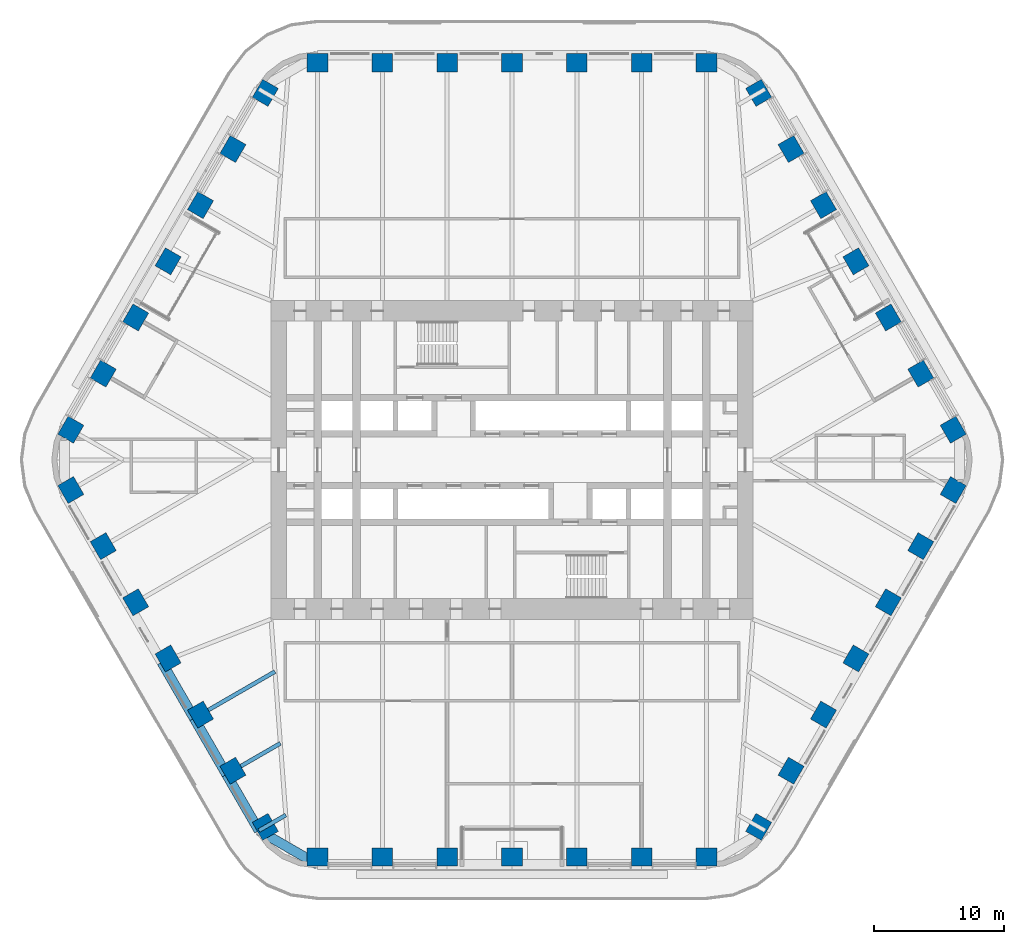
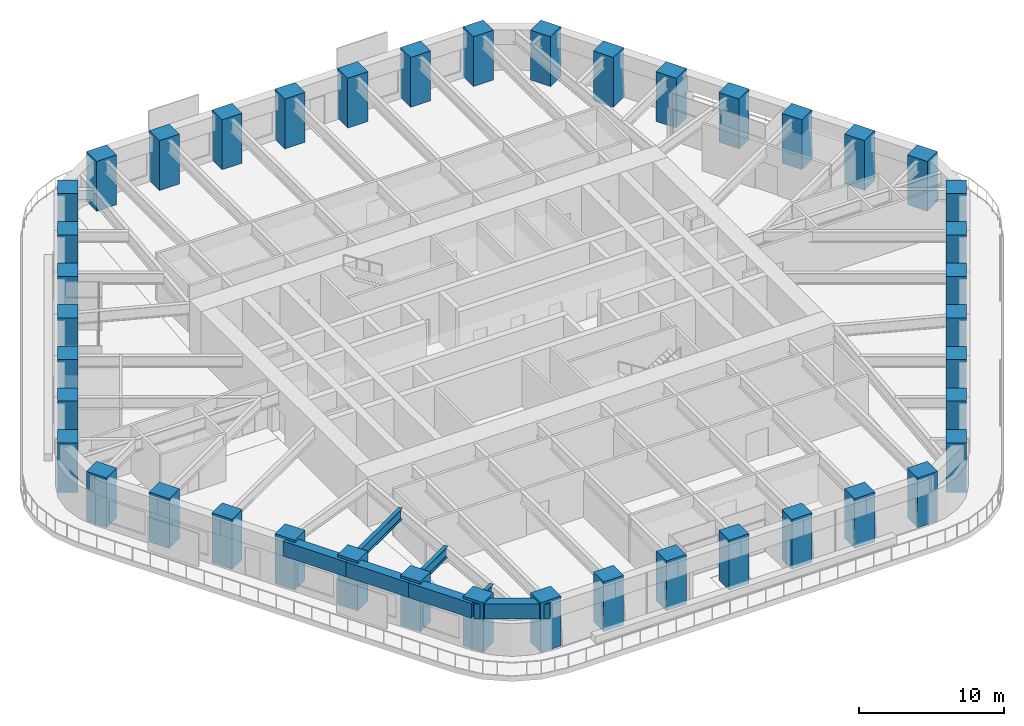
# One storey, part 1 of 24: 42 columns, 7 beams.
"""IFC4 building model written with IfcOpenShell, lengths in metres."""

from ifc_helpers import new_model, si_unit, direction, frame, origin, origin_2d, place, context, subcontext, project, spatial, rectangle, i_section, extrude, material, material_profile, profile_set, type_object, element, save


model = new_model("IFC4")

# Units and contexts
model_context = context("Model", 3, precision=1e-05, world=origin(), true_north=direction((0.0, 1.0)))
body_context = subcontext(model_context, "Body", "Model", "MODEL_VIEW")
ifc_project = project(units=[si_unit("LENGTHUNIT", "METRE"), si_unit("AREAUNIT", "SQUARE_METRE"), si_unit("VOLUMEUNIT", "CUBIC_METRE"), si_unit("PLANEANGLEUNIT", "RADIAN"), si_unit("MASSUNIT", "GRAM", prefix="KILO")], contexts=[model_context])

# Site, building, storey
site_placement = place(None, origin())
site = spatial("IfcSite", under=ifc_project, at=site_placement, CompositionType="ELEMENT")
building_placement = place(site_placement, origin())
building = spatial("IfcBuilding", under=site, at=building_placement, Name="Tarfa Lantern Tower", CompositionType="ELEMENT")
storey_placement = place(building_placement, frame((0.0, 0.0, 174.10009765625)))
storey = spatial("IfcBuildingStorey", under=building, at=storey_placement, Name="L39", CompositionType="ELEMENT", Elevation=174.10009765625)

# Columns
ifc_material_1 = material(Name="Concrete C80/95", Category="concrete")
ifc_material_profile_1 = material_profile(ifc_material_1, rectangle(XDim=1.60009765625, YDim=1.39990234375, at=origin_2d()), Name="RC 1600x1400")
ifc_profile_set_1 = profile_set([ifc_material_profile_1], Name="Concrete C80/95")
column_type = type_object("IfcColumnType", Name="TC7 RC 1600x1400", PredefinedType="COLUMN", material=ifc_profile_set_1)
for number, where, z_axis, x_axis, name in (
    (1, (34.04931640625, 2.324951171875, 0.0), (0.0, 0.0, 1.0), (-0.5, 0.866025403784, 0.0), "Tube column NE0"),
    (2, (31.54736328125, 6.658447265625, 0.0), (0.0, 0.0, 1.0), (-0.5, 0.866025403784, 0.0), "Tube column NE1"),
    (3, (29.04541015625, 10.99169921875, 0.0), (0.0, 0.0, 1.0), (-0.5, 0.866025403784, 0.0), "Tube column NE2"),
    (4, (26.543701171875, 15.324951171875, 0.0), (0.0, 0.0, 1.0), (-0.5, 0.866025403784, 0.0), "Tube column NE3"),
    (5, (24.041748046875, 19.658447265625, 0.0), (0.0, 0.0, 1.0), (-0.5, 0.866025403784, 0.0), "Tube column NE4"),
    (6, (21.5400390625, 23.99169921875, 0.0), (0.0, 0.0, 1.0), (-0.5, 0.866025403784, 0.0), "Tube column NE5"),
    (7, (19.0380859375, 28.324951171875, 0.0), (0.0, 0.0, 1.0), (-0.5, 0.866025403784, 0.0), "Tube column NE6"),
    (8, (15.010986328125, 30.64990234375, 0.0), (0.0, 0.0, 1.0), (-1.0, 0.0, 0.0), "Tube column N0"),
    (9, (10.00732421875, 30.64990234375, 0.0), (0.0, 0.0, 1.0), (-1.0, 0.0, 0.0), "Tube column N1"),
    (10, (5.003662109375, 30.64990234375, 0.0), (0.0, 0.0, 1.0), (-1.0, 0.0, 0.0), "Tube column N2"),
    (11, (0.0, 30.64990234375, 0.0), (0.0, 0.0, 1.0), (-1.0, 0.0, 0.0), "Tube column N3"),
    (12, (-5.003662109375, 30.64990234375, 0.0), (0.0, 0.0, 1.0), (-1.0, 0.0, 0.0), "Tube column N4"),
    (13, (-10.00732421875, 30.64990234375, 0.0), (0.0, 0.0, 1.0), (-1.0, 0.0, 0.0), "Tube column N5"),
    (14, (-15.010986328125, 30.64990234375, 0.0), (0.0, 0.0, 1.0), (-1.0, 0.0, 0.0), "Tube column N6"),
    (15, (-19.0380859375, 28.324951171875, 0.0), (0.0, 0.0, 1.0), (-0.5, -0.866025403784, 0.0), "Tube column NW0"),
    (16, (-21.5400390625, 23.99169921875, 0.0), (0.0, 0.0, 1.0), (-0.5, -0.866025403784, 0.0), "Tube column NW1"),
    (17, (-24.041748046875, 19.658447265625, 0.0), (0.0, 0.0, 1.0), (-0.5, -0.866025403784, 0.0), "Tube column NW2"),
    (18, (-26.543701171875, 15.324951171875, 0.0), (0.0, 0.0, 1.0), (-0.5, -0.866025403784, 0.0), "Tube column NW3"),
    (19, (-29.04541015625, 10.99169921875, 0.0), (0.0, 0.0, 1.0), (-0.5, -0.866025403784, 0.0), "Tube column NW4"),
    (20, (-31.54736328125, 6.658447265625, 0.0), (0.0, 0.0, 1.0), (-0.5, -0.866025403784, 0.0), "Tube column NW5"),
    (21, (-34.04931640625, 2.324951171875, 0.0), (0.0, 0.0, 1.0), (-0.5, -0.866025403784, 0.0), "Tube column NW6"),
    (22, (-34.04931640625, -2.324951171875, 0.0), (0.0, 0.0, 1.0), (0.5, -0.866025403784, 0.0), "Tube column SW0"),
    (23, (-31.54736328125, -6.658447265625, 0.0), (0.0, 0.0, 1.0), (0.5, -0.866025403784, 0.0), "Tube column SW1"),
    (24, (-29.04541015625, -10.99169921875, 0.0), (0.0, 0.0, 1.0), (0.5, -0.866025403784, 0.0), "Tube column SW2"),
    (25, (-26.543701171875, -15.324951171875, 0.0), (0.0, 0.0, 1.0), (0.5, -0.866025403784, 0.0), "Tube column SW3"),
    (26, (-24.041748046875, -19.658447265625, 0.0), (0.0, 0.0, 1.0), (0.5, -0.866025403784, 0.0), "Tube column SW4"),
    (27, (-21.5400390625, -23.99169921875, 0.0), (0.0, 0.0, 1.0), (0.5, -0.866025403784, 0.0), "Tube column SW5"),
    (28, (-19.0380859375, -28.324951171875, 0.0), (0.0, 0.0, 1.0), (0.5, -0.866025403784, 0.0), "Tube column SW6"),
    (29, (-15.010986328125, -30.64990234375, 0.0), (0.0, 0.0, 1.0), (1.0, 0.0, 0.0), "Tube column S0"),
    (30, (-10.00732421875, -30.64990234375, 0.0), (0.0, 0.0, 1.0), (1.0, 0.0, 0.0), "Tube column S1"),
    (31, (-5.003662109375, -30.64990234375, 0.0), (0.0, 0.0, 1.0), (1.0, 0.0, 0.0), "Tube column S2"),
    (32, (0.0, -30.64990234375, 0.0), (0.0, 0.0, 1.0), (1.0, 0.0, 0.0), "Tube column S3"),
    (33, (5.003662109375, -30.64990234375, 0.0), (0.0, 0.0, 1.0), (1.0, 0.0, 0.0), "Tube column S4"),
    (34, (10.00732421875, -30.64990234375, 0.0), (0.0, 0.0, 1.0), (1.0, 0.0, 0.0), "Tube column S5"),
    (35, (15.010986328125, -30.64990234375, 0.0), (0.0, 0.0, 1.0), (1.0, 0.0, 0.0), "Tube column S6"),
    (36, (19.0380859375, -28.324951171875, 0.0), (0.0, 0.0, 1.0), (0.5, 0.866025403784, 0.0), "Tube column SE0"),
    (37, (21.5400390625, -23.99169921875, 0.0), (0.0, 0.0, 1.0), (0.5, 0.866025403784, 0.0), "Tube column SE1"),
    (38, (24.041748046875, -19.658447265625, 0.0), (0.0, 0.0, 1.0), (0.5, 0.866025403784, 0.0), "Tube column SE2"),
    (39, (26.543701171875, -15.324951171875, 0.0), (0.0, 0.0, 1.0), (0.5, 0.866025403784, 0.0), "Tube column SE3"),
    (40, (29.04541015625, -10.99169921875, 0.0), (0.0, 0.0, 1.0), (0.5, 0.866025403784, 0.0), "Tube column SE4"),
    (41, (31.54736328125, -6.658447265625, 0.0), (0.0, 0.0, 1.0), (0.5, 0.866025403784, 0.0), "Tube column SE5"),
    (42, (34.04931640625, -2.324951171875, 0.0), (0.0, 0.0, 1.0), (0.5, 0.866025403784, 0.0), "Tube column SE6"),
):
    element("IfcColumn", number, at=place(storey_placement, frame(where, z_axis=z_axis, x_axis=x_axis)), inside=storey, type_object=column_type, Name=name, PredefinedType="COLUMN", context=body_context, shape_type="SweptSolid", body=[
        extrude(rectangle(XDim=1.60009765625, YDim=1.39990234375, at=origin_2d()), origin(), (0.0, 0.0, 1.0), 4.199951171875),
    ])

# Beams
ifc_material_profile_2 = material_profile(ifc_material_1, rectangle(XDim=0.75, YDim=1.25, at=origin_2d()), Name="RC 750x1250")
ifc_profile_set_2 = profile_set([ifc_material_profile_2], Name="Concrete C80/95")
beam_type_1 = type_object("IfcBeamType", Name="EB2 RC 750x1250", PredefinedType="SPANDREL", material=ifc_profile_set_2)
for number, where, z_axis, x_axis, name in (
    (43, (-27.037353515625, -15.610107421875, 3.375), (0.500022324899, -0.866012514114, 0.0), (0.866012514114, 0.500022324899, 0.0), "Edge beam SW3"),
    (44, (-24.535400390625, -19.943359375, 3.375), (0.49998573051, -0.866033642122, 0.0), (0.866033642122, 0.49998573051, 0.0), "Edge beam SW4"),
):
    element("IfcBeam", number, at=place(storey_placement, frame(where, z_axis=z_axis, x_axis=x_axis)), inside=storey, type_object=beam_type_1, Name=name, PredefinedType="SPANDREL", context=body_context, shape_type="SweptSolid", body=[
        extrude(rectangle(XDim=0.75, YDim=1.25, at=origin_2d()), origin(), (0.0, 0.0, 1.0), 5.003662109375),
    ])
beam_1_placement = place(storey_placement, frame((-22.03369140625, -24.276611328125, 3.375), z_axis=(0.500001197378, -0.866024712477, 0.0), x_axis=(0.866024712477, 0.500001197378, 0.0)))
element("IfcBeam", 45, at=beam_1_placement, inside=storey, type_object=beam_type_1, Name="Edge beam SW5", PredefinedType="SPANDREL", context=body_context, shape_type="SweptSolid", body=[
    extrude(rectangle(XDim=0.75, YDim=1.25, at=origin_2d()), origin(), (0.0, 0.0, 1.0), 5.00390625),
])
beam_2_placement = place(storey_placement, frame((-19.53173828125, -28.610107421875, 3.375), z_axis=(0.86604150238, -0.499972115377, 0.0), x_axis=(0.499972115377, 0.86604150238, 0.0)))
element("IfcBeam", 46, at=beam_2_placement, inside=storey, type_object=beam_type_1, Name="Edge beam SW6", PredefinedType="SPANDREL", context=body_context, shape_type="SweptSolid", body=[
    extrude(rectangle(XDim=0.75, YDim=1.25, at=origin_2d()), origin(), (0.0, 0.0, 1.0), 5.219970703125),
])
ifc_material_2 = material(Name="Steel S460M", Category="steel")
ifc_material_profile_3 = material_profile(ifc_material_2, i_section(OverallWidth=0.305419921875, OverallDepth=0.91845703125, WebThickness=0.017333984375, FlangeThickness=0.02783203125, FilletRadius=0.01904296875, at=origin_2d()), Name="UB914x305x253")
ifc_profile_set_3 = profile_set([ifc_material_profile_3], Name="Steel S460M")
beam_type_2 = type_object("IfcBeamType", Name="UB914x305x253", PredefinedType="BEAM", material=ifc_profile_set_3)
beam_3_placement = place(storey_placement, frame((-24.535400390625, -19.943359375, 3.540771484375), z_axis=(0.86602647304, 0.499998147991, 0.0), x_axis=(-0.499998147991, 0.86602647304, 0.0)))
element("IfcBeam", 47, at=beam_3_placement, inside=storey, type_object=beam_type_2, Name="Floor beam SW4", PredefinedType="BEAM", context=body_context, shape_type="SweptSolid", body=[
    extrude(i_section(OverallWidth=0.305419921875, OverallDepth=0.91845703125, WebThickness=0.017333984375, FlangeThickness=0.02783203125, FilletRadius=0.01904296875, at=origin_2d()), origin(), (0.0, 0.0, 1.0), 7.20556640625),
])
beam_4_placement = place(storey_placement, frame((-22.03369140625, -24.276611328125, 3.540771484375), z_axis=(0.866030550462, 0.499991085587, 0.0), x_axis=(-0.499991085587, 0.866030550462, 0.0)))
element("IfcBeam", 48, at=beam_4_placement, inside=storey, type_object=beam_type_2, Name="Floor beam SW5", PredefinedType="BEAM", context=body_context, shape_type="SweptSolid", body=[
    extrude(i_section(OverallWidth=0.305419921875, OverallDepth=0.91845703125, WebThickness=0.017333984375, FlangeThickness=0.02783203125, FilletRadius=0.01904296875, at=origin_2d()), origin(), (0.0, 0.0, 1.0), 4.798828125),
])
beam_5_placement = place(storey_placement, frame((-19.53173828125, -28.610107421875, 3.540771484375), z_axis=(0.865998640954, 0.500046351717, 0.0), x_axis=(-0.500046351717, 0.865998640954, 0.0)))
element("IfcBeam", 49, at=beam_5_placement, inside=storey, type_object=beam_type_2, Name="Floor beam SW6", PredefinedType="BEAM", context=body_context, shape_type="SweptSolid", body=[
    extrude(i_section(OverallWidth=0.305419921875, OverallDepth=0.91845703125, WebThickness=0.017333984375, FlangeThickness=0.02783203125, FilletRadius=0.01904296875, at=origin_2d()), origin(), (0.0, 0.0, 1.0), 2.392333984375),
])

save(model, "model.ifc")
